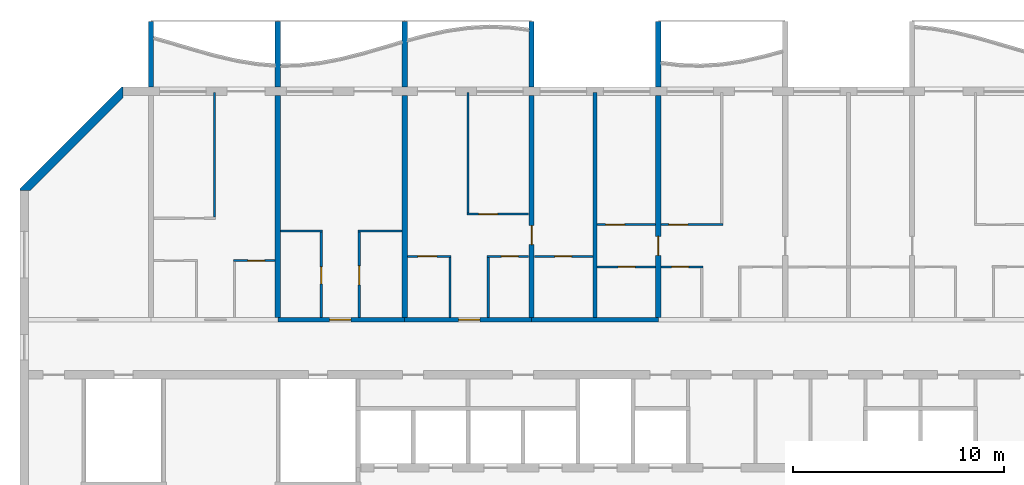
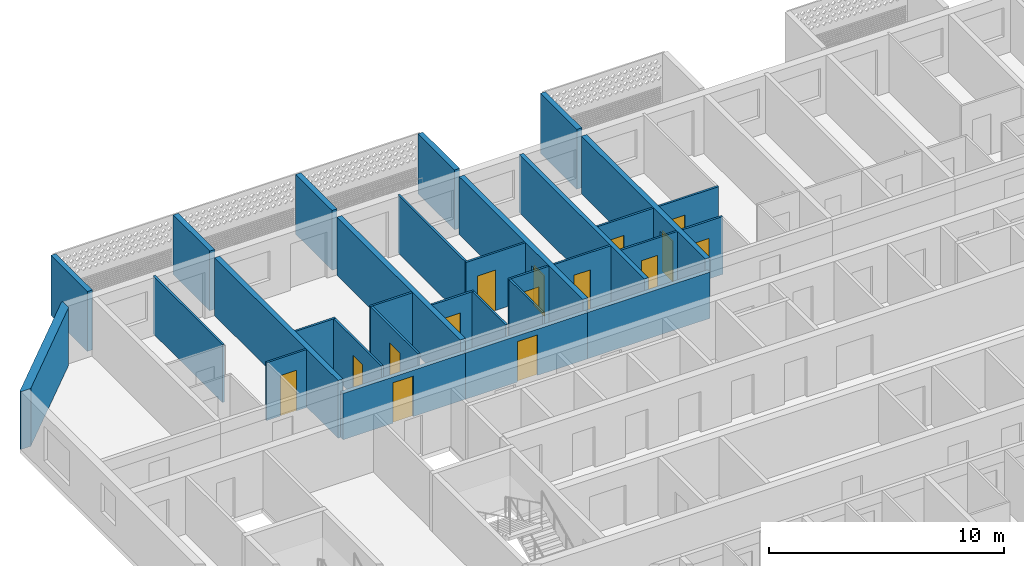
# One storey, part 8 of 27: 31 walls, 15 doors, 15 openings.
"""IFC4 building model written with IfcOpenShell, lengths in metres."""

from ifc_helpers import new_model, si_unit, direction, frame, frame_2d, origin, place, context, subcontext, project, spatial, polyline, rectangle, outline, extrude, source, transform, mapped, material, layer, layer_set, type_object, element, fill, save


model = new_model("IFC4")

# Units and contexts
model_context = context("Model", 3, precision=1e-05, world=origin(), true_north=direction((0.0, 1.0)))
body_context = subcontext(model_context, "Body", "Model", "MODEL_VIEW")
ifc_project = project(units=[si_unit("LENGTHUNIT", "METRE"), si_unit("AREAUNIT", "SQUARE_METRE"), si_unit("VOLUMEUNIT", "CUBIC_METRE"), si_unit("PLANEANGLEUNIT", "RADIAN"), si_unit("MASSUNIT", "GRAM", prefix="KILO")], contexts=[model_context])

# Site, building, storey
site_placement = place(None, origin())
site = spatial("IfcSite", under=ifc_project, at=site_placement, CompositionType="ELEMENT")
building_placement = place(site_placement, origin())
building = spatial("IfcBuilding", under=site, at=building_placement, Name="Poui Terraces", CompositionType="ELEMENT")
storey_placement = place(building_placement, frame((0.0, 0.0, 208.199951171875)))
storey = spatial("IfcBuildingStorey", under=building, at=storey_placement, Name="L58", CompositionType="ELEMENT", Elevation=208.199951171875)

# Wall, opening, door
ifc_material_1 = material(Name="Concrete 50 MPa", Category="concrete")
ifc_layer_1 = layer(ifc_material_1, 0.199951171875)
ifc_layer_set_1 = layer_set([ifc_layer_1], Name="Concrete 50 MPa")
wall_type_1 = type_object("IfcWallType", Name="CORRIDOR WALL 200 50MPa", PredefinedType="SHEAR", material=ifc_layer_set_1)
wall_1_placement = place(storey_placement, frame((30.0, 30.39990234375, 0.0), z_axis=(0.0, 0.0, 1.0), x_axis=(1.0, 0.0, 0.0)))
wall_1 = element("IfcWall", 1, at=wall_1_placement, inside=storey, type_object=wall_type_1, Name="CORRIDOR WALL LINE E BAY 3", PredefinedType="SHEAR", context=body_context, shape_type="SweptSolid", body=[
    extrude(rectangle(XDim=6.0, YDim=0.199951171875, at=frame_2d((3.0, 0.0))), origin(), (0.0, 0.0, 1.0), 2.400146484375),
])
opening_1_placement = place(wall_1_placement, frame((2.449951171875, 0.0, 0.0)))
opening_1 = element("IfcOpeningElement", 2, at=opening_1_placement, cuts=wall_1, Name="Opening FD30S", PredefinedType="OPENING", context=body_context, shape_type="SweptSolid", body=[
    extrude(rectangle(XDim=1.0, YDim=2.10009765625, at=frame_2d((0.5, 1.050048828125))), frame((0.0, 0.10986328125, 0.0), z_axis=(0.0, -1.0, 0.0), x_axis=(1.0, 0.0, 0.0)), (0.0, 0.0, 1.0), 0.219970703125),
])
ifc_material_2 = material(Name="Steel fire door", Category="steel")
door_type_1 = type_object("IfcDoorType", Name="FLAT ENTRANCE DOOR 1000 X 2100", OperationType="NOTDEFINED", PredefinedType="DOOR", material=ifc_material_2)
door_1_placement = place(opening_1_placement, origin())
door_1 = element("IfcDoor", 3, at=door_1_placement, inside=storey, type_object=door_type_1, Name="FLAT ENTRANCE DOOR 032", OperationType="SINGLE_SWING_LEFT", OverallHeight=2.10009765625, OverallWidth=1.0, PredefinedType="DOOR", context=body_context, shape_type="SweptSolid", body=[
    extrude(rectangle(XDim=1.0, YDim=2.10009765625, at=frame_2d((0.5, 1.050048828125))), frame((0.0, 0.02490234375, 0.0), z_axis=(0.0, -1.0, 0.0), x_axis=(1.0, 0.0, 0.0)), (0.0, 0.0, 1.0), 0.050048828125),
])
fill(opening_1, door_1)

wall_2_placement = place(storey_placement, frame((36.0, 30.39990234375, 0.0), z_axis=(0.0, 0.0, 1.0), x_axis=(1.0, 0.0, 0.0)))
wall_2 = element("IfcWall", 4, at=wall_2_placement, inside=storey, type_object=wall_type_1, Name="CORRIDOR WALL LINE E BAY 4", PredefinedType="SHEAR", context=body_context, shape_type="SweptSolid", body=[
    extrude(rectangle(XDim=6.0, YDim=0.199951171875, at=frame_2d((3.0, 0.0))), origin(), (0.0, 0.0, 1.0), 2.400146484375),
])
opening_2_placement = place(wall_2_placement, frame((2.550048828125, 0.0, 0.0)))
opening_2 = element("IfcOpeningElement", 5, at=opening_2_placement, cuts=wall_2, Name="Opening FD30S", PredefinedType="OPENING", context=body_context, shape_type="SweptSolid", body=[
    extrude(rectangle(XDim=1.0, YDim=2.10009765625, at=frame_2d((0.5, 1.050048828125))), frame((0.0, 0.10986328125, 0.0), z_axis=(0.0, -1.0, 0.0), x_axis=(1.0, 0.0, 0.0)), (0.0, 0.0, 1.0), 0.219970703125),
])
door_2_placement = place(opening_2_placement, origin())
door_2 = element("IfcDoor", 6, at=door_2_placement, inside=storey, type_object=door_type_1, Name="FLAT ENTRANCE DOOR 036", OperationType="SINGLE_SWING_RIGHT", OverallHeight=2.10009765625, OverallWidth=1.0, PredefinedType="DOOR", context=body_context, shape_type="SweptSolid", body=[
    extrude(rectangle(XDim=1.0, YDim=2.10009765625, at=frame_2d((0.5, 1.050048828125))), frame((0.0, 0.02490234375, 0.0), z_axis=(0.0, -1.0, 0.0), x_axis=(1.0, 0.0, 0.0)), (0.0, 0.0, 1.0), 0.050048828125),
])
fill(opening_2, door_2)

# Walls
wall_3_placement = place(storey_placement, frame((42.0, 30.39990234375, 0.0), z_axis=(0.0, 0.0, 1.0), x_axis=(1.0, 0.0, 0.0)))
element("IfcWall", 7, at=wall_3_placement, inside=storey, type_object=wall_type_1, Name="CORRIDOR WALL LINE E BAY 5", PredefinedType="SHEAR", context=body_context, shape_type="SweptSolid", body=[
    extrude(rectangle(XDim=6.0, YDim=0.199951171875, at=frame_2d((3.0, 0.0))), origin(), (0.0, 0.0, 1.0), 2.400146484375),
])
ifc_layer_2 = layer(ifc_material_1, 0.25)
ifc_layer_set_2 = layer_set([ifc_layer_2], Name="Concrete 50 MPa")
wall_type_2 = type_object("IfcWallType", Name="CROSS WALL 250 50MPa", PredefinedType="SHEAR", material=ifc_layer_set_2)
for number, where, z_axis, x_axis, name in (
    (8, (30.0, 30.5, 0.0), (0.0, 0.0, 1.0), (0.0, 1.0, 0.0), "CROSS WALL LINE 6 NORTH"),
    (9, (36.0, 30.5, 0.0), (0.0, 0.0, 1.0), (0.0, 1.0, 0.0), "CROSS WALL LINE 7 NORTH"),
):
    element("IfcWall", number, at=place(storey_placement, frame(where, z_axis=z_axis, x_axis=x_axis)), inside=storey, type_object=wall_type_2, Name=name, PredefinedType="SHEAR", context=body_context, shape_type="SweptSolid", body=[
        extrude(rectangle(XDim=10.5, YDim=0.25, at=frame_2d((5.25, 0.0))), origin(), (0.0, 0.0, 1.0), 3.0),
    ])

# Wall, opening, door
wall_4_placement = place(storey_placement, frame((42.0, 30.5, 0.0), z_axis=(0.0, 0.0, 1.0), x_axis=(0.0, 1.0, 0.0)))
wall_4 = element("IfcWall", 10, at=wall_4_placement, inside=storey, type_object=wall_type_2, Name="CROSS WALL LINE 8 NORTH", PredefinedType="SHEAR", context=body_context, shape_type="SweptSolid", body=[
    extrude(rectangle(XDim=10.5, YDim=0.25, at=frame_2d((5.25, 0.0))), origin(), (0.0, 0.0, 1.0), 3.0),
])
opening_3_placement = place(wall_4_placement, frame((3.449951171875, 0.0, 0.0)))
opening_3 = element("IfcOpeningElement", 11, at=opening_3_placement, cuts=wall_4, Name="Opening D90", PredefinedType="OPENING", context=body_context, shape_type="SweptSolid", body=[
    extrude(rectangle(XDim=0.89990234375, YDim=2.10009765625, at=frame_2d((0.449951171875, 1.050048828125))), frame((0.0, 0.135009765625, 0.0), z_axis=(0.0, -1.0, 0.0), x_axis=(1.0, 0.0, 0.0)), (0.0, 0.0, 1.0), 0.27001953125),
])
ifc_material_3 = material(Name="Solid core timber door", Category="wood")
door_type_2 = type_object("IfcDoorType", Name="INTERNAL DOOR 900 X 2100", OperationType="NOTDEFINED", PredefinedType="DOOR", material=ifc_material_3)
door_3_placement = place(opening_3_placement, frame((0.89990234375, 0.0, 0.0), z_axis=(0.0, 0.0, 1.0), x_axis=(-1.0, 0.0, 0.0)))
door_3 = element("IfcDoor", 12, at=door_3_placement, inside=storey, type_object=door_type_2, Name="INTERNAL DOOR 039", OperationType="SINGLE_SWING_RIGHT", OverallHeight=2.10009765625, OverallWidth=0.89990234375, PredefinedType="DOOR", context=body_context, shape_type="SweptSolid", body=[
    extrude(rectangle(XDim=0.89990234375, YDim=2.10009765625, at=frame_2d((0.449951171875, 1.050048828125))), frame((0.0, 0.02490234375, 0.0), z_axis=(0.0, -1.0, 0.0), x_axis=(1.0, 0.0, 0.0)), (0.0, 0.0, 1.0), 0.050048828125),
])
fill(opening_3, door_3)

wall_5_placement = place(storey_placement, frame((48.0, 30.5, 0.0), z_axis=(0.0, 0.0, 1.0), x_axis=(0.0, 1.0, 0.0)))
wall_5 = element("IfcWall", 13, at=wall_5_placement, inside=storey, type_object=wall_type_2, Name="CROSS WALL LINE 9 NORTH", PredefinedType="SHEAR", context=body_context, shape_type="SweptSolid", body=[
    extrude(rectangle(XDim=10.5, YDim=0.25, at=frame_2d((5.25, 0.0))), origin(), (0.0, 0.0, 1.0), 3.0),
])
opening_4_placement = place(wall_5_placement, frame((2.949951171875, 0.0, 0.0)))
opening_4 = element("IfcOpeningElement", 14, at=opening_4_placement, cuts=wall_5, Name="Opening D90", PredefinedType="OPENING", context=body_context, shape_type="SweptSolid", body=[
    extrude(rectangle(XDim=0.89990234375, YDim=2.10009765625, at=frame_2d((0.449951171875, 1.050048828125))), frame((0.0, 0.135009765625, 0.0), z_axis=(0.0, -1.0, 0.0), x_axis=(1.0, 0.0, 0.0)), (0.0, 0.0, 1.0), 0.27001953125),
])
door_4_placement = place(opening_4_placement, frame((0.89990234375, 0.0, 0.0), z_axis=(0.0, 0.0, 1.0), x_axis=(-1.0, 0.0, 0.0)))
door_4 = element("IfcDoor", 15, at=door_4_placement, inside=storey, type_object=door_type_2, Name="INTERNAL DOOR 043", OperationType="SINGLE_SWING_RIGHT", OverallHeight=2.10009765625, OverallWidth=0.89990234375, PredefinedType="DOOR", context=body_context, shape_type="SweptSolid", body=[
    extrude(rectangle(XDim=0.89990234375, YDim=2.10009765625, at=frame_2d((0.449951171875, 1.050048828125))), frame((0.0, 0.02490234375, 0.0), z_axis=(0.0, -1.0, 0.0), x_axis=(1.0, 0.0, 0.0)), (0.0, 0.0, 1.0), 0.050048828125),
])
fill(opening_4, door_4)

ifc_material_4 = material(Name="Plasterboard partition")
ifc_layer_3 = layer(ifc_material_4, 0.10009765625)
ifc_layer_set_3 = layer_set([ifc_layer_3], Name="Plasterboard partition")
wall_type_3 = type_object("IfcWallType", Name="FLAT PARTITION 100", PredefinedType="PARTITIONING", material=ifc_layer_set_3)
wall_6_placement = place(storey_placement, frame((45.10009765625, 32.89990234375, 0.0), z_axis=(0.0, 0.0, 1.0), x_axis=(1.0, 0.0, 0.0)))
wall_6 = element("IfcWall", 16, at=wall_6_placement, inside=storey, type_object=wall_type_3, Name="FLAT PARTITION 100", PredefinedType="PARTITIONING", context=body_context, shape_type="SweptSolid", body=[
    extrude(rectangle(XDim=2.764892578125, YDim=0.10009765625, at=frame_2d((1.38232421875, 0.0))), origin(), (0.0, 0.0, 1.0), 3.0),
])
opening_5_placement = place(wall_6_placement, frame((1.0, 0.0, 0.0)))
opening_5 = element("IfcOpeningElement", 17, at=opening_5_placement, cuts=wall_6, Name="Opening D80", PredefinedType="OPENING", context=body_context, shape_type="SweptSolid", body=[
    extrude(rectangle(XDim=0.800048828125, YDim=2.10009765625, at=frame_2d((0.39990234375, 1.050048828125))), frame((0.0, 0.06005859375, 0.0), z_axis=(0.0, -1.0, 0.0), x_axis=(1.0, 0.0, 0.0)), (0.0, 0.0, 1.0), 0.1201171875),
])
door_type_3 = type_object("IfcDoorType", Name="BATHROOM, LAUNDRY AND STORE DOOR 800 X 2100", OperationType="NOTDEFINED", PredefinedType="DOOR", material=ifc_material_3)
door_5_placement = place(opening_5_placement, frame((0.800048828125, 0.0, 0.0), z_axis=(0.0, 0.0, 1.0), x_axis=(-1.0, 0.0, 0.0)))
door_5 = element("IfcDoor", 18, at=door_5_placement, inside=storey, type_object=door_type_3, Name="BATHROOM, LAUNDRY AND STORE DOOR 042", OperationType="SINGLE_SWING_LEFT", OverallHeight=2.10009765625, OverallWidth=0.800048828125, PredefinedType="DOOR", context=body_context, shape_type="SweptSolid", body=[
    extrude(rectangle(XDim=0.800048828125, YDim=2.10009765625, at=frame_2d((0.39990234375, 1.050048828125))), frame((0.0, 0.02490234375, 0.0), z_axis=(0.0, -1.0, 0.0), x_axis=(1.0, 0.0, 0.0)), (0.0, 0.0, 1.0), 0.050048828125),
])
fill(opening_5, door_5)

wall_7_placement = place(storey_placement, frame((48.135009765625, 32.89990234375, 0.0), z_axis=(0.0, 0.0, 1.0), x_axis=(1.0, 0.0, 0.0)))
wall_7 = element("IfcWall", 19, at=wall_7_placement, inside=storey, type_object=wall_type_3, Name="FLAT PARTITION 100", PredefinedType="PARTITIONING", context=body_context, shape_type="SweptSolid", body=[
    extrude(rectangle(XDim=1.965087890625, YDim=0.10009765625, at=frame_2d((0.982421875, 0.0))), origin(), (0.0, 0.0, 1.0), 3.0),
])
opening_6_placement = place(wall_7_placement, frame((0.489990234375, 0.0, 0.0)))
opening_6 = element("IfcOpeningElement", 20, at=opening_6_placement, cuts=wall_7, Name="Opening D80", PredefinedType="OPENING", context=body_context, shape_type="SweptSolid", body=[
    extrude(rectangle(XDim=0.800048828125, YDim=2.10009765625, at=frame_2d((0.39990234375, 1.050048828125))), frame((0.0, 0.06005859375, 0.0), z_axis=(0.0, -1.0, 0.0), x_axis=(1.0, 0.0, 0.0)), (0.0, 0.0, 1.0), 0.1201171875),
])
door_6_placement = place(opening_6_placement, frame((0.800048828125, 0.0, 0.0), z_axis=(0.0, 0.0, 1.0), x_axis=(-1.0, 0.0, 0.0)))
door_6 = element("IfcDoor", 21, at=door_6_placement, inside=storey, type_object=door_type_3, Name="BATHROOM, LAUNDRY AND STORE DOOR 045", OperationType="SINGLE_SWING_RIGHT", OverallHeight=2.10009765625, OverallWidth=0.800048828125, PredefinedType="DOOR", context=body_context, shape_type="SweptSolid", body=[
    extrude(rectangle(XDim=0.800048828125, YDim=2.10009765625, at=frame_2d((0.39990234375, 1.050048828125))), frame((0.0, 0.02490234375, 0.0), z_axis=(0.0, -1.0, 0.0), x_axis=(1.0, 0.0, 0.0)), (0.0, 0.0, 1.0), 0.050048828125),
])
fill(opening_6, door_6)

wall_8_placement = place(storey_placement, frame((27.89990234375, 33.199951171875, 0.0), z_axis=(0.0, 0.0, 1.0), x_axis=(1.0, 0.0, 0.0)))
wall_8 = element("IfcWall", 22, at=wall_8_placement, inside=storey, type_object=wall_type_3, Name="FLAT PARTITION 100", PredefinedType="PARTITIONING", context=body_context, shape_type="SweptSolid", body=[
    extrude(rectangle(XDim=1.965087890625, YDim=0.10009765625, at=frame_2d((0.982421875, 0.0))), origin(), (0.0, 0.0, 1.0), 3.0),
])
opening_7_placement = place(wall_8_placement, frame((0.675048828125, 0.0, 0.0)))
opening_7 = element("IfcOpeningElement", 23, at=opening_7_placement, cuts=wall_8, Name="Opening D80", PredefinedType="OPENING", context=body_context, shape_type="SweptSolid", body=[
    extrude(rectangle(XDim=0.800048828125, YDim=2.10009765625, at=frame_2d((0.39990234375, 1.050048828125))), frame((0.0, 0.06005859375, 0.0), z_axis=(0.0, -1.0, 0.0), x_axis=(1.0, 0.0, 0.0)), (0.0, 0.0, 1.0), 0.1201171875),
])
door_7_placement = place(opening_7_placement, frame((0.800048828125, 0.0, 0.0), z_axis=(0.0, 0.0, 1.0), x_axis=(-1.0, 0.0, 0.0)))
door_7 = element("IfcDoor", 24, at=door_7_placement, inside=storey, type_object=door_type_3, Name="BATHROOM, LAUNDRY AND STORE DOOR 030", OperationType="SINGLE_SWING_RIGHT", OverallHeight=2.10009765625, OverallWidth=0.800048828125, PredefinedType="DOOR", context=body_context, shape_type="SweptSolid", body=[
    extrude(rectangle(XDim=0.800048828125, YDim=2.10009765625, at=frame_2d((0.39990234375, 1.050048828125))), frame((0.0, 0.02490234375, 0.0), z_axis=(0.0, -1.0, 0.0), x_axis=(1.0, 0.0, 0.0)), (0.0, 0.0, 1.0), 0.050048828125),
])
fill(opening_7, door_7)

wall_9_placement = place(storey_placement, frame((36.135009765625, 33.39990234375, 0.0), z_axis=(0.0, 0.0, 1.0), x_axis=(1.0, 0.0, 0.0)))
wall_9 = element("IfcWall", 25, at=wall_9_placement, inside=storey, type_object=wall_type_3, Name="FLAT PARTITION 100", PredefinedType="PARTITIONING", context=body_context, shape_type="SweptSolid", body=[
    extrude(rectangle(XDim=2.06494140625, YDim=0.10009765625, at=frame_2d((1.032470703125, 0.0))), origin(), (0.0, 0.0, 1.0), 3.0),
])
opening_8_placement = place(wall_9_placement, frame((0.489990234375, 0.0, 0.0)))
opening_8 = element("IfcOpeningElement", 26, at=opening_8_placement, cuts=wall_9, Name="Opening D90", PredefinedType="OPENING", context=body_context, shape_type="SweptSolid", body=[
    extrude(rectangle(XDim=0.89990234375, YDim=2.10009765625, at=frame_2d((0.449951171875, 1.050048828125))), frame((0.0, 0.06005859375, 0.0), z_axis=(0.0, -1.0, 0.0), x_axis=(1.0, 0.0, 0.0)), (0.0, 0.0, 1.0), 0.1201171875),
])
door_8_placement = place(opening_8_placement, frame((0.89990234375, 0.0, 0.0), z_axis=(0.0, 0.0, 1.0), x_axis=(-1.0, 0.0, 0.0)))
door_8 = element("IfcDoor", 27, at=door_8_placement, inside=storey, type_object=door_type_2, Name="INTERNAL DOOR 035", OperationType="SINGLE_SWING_LEFT", OverallHeight=2.10009765625, OverallWidth=0.89990234375, PredefinedType="DOOR", context=body_context, shape_type="SweptSolid", body=[
    extrude(rectangle(XDim=0.89990234375, YDim=2.10009765625, at=frame_2d((0.449951171875, 1.050048828125))), frame((0.0, 0.02490234375, 0.0), z_axis=(0.0, -1.0, 0.0), x_axis=(1.0, 0.0, 0.0)), (0.0, 0.0, 1.0), 0.050048828125),
])
fill(opening_8, door_8)

wall_10_placement = place(storey_placement, frame((39.89990234375, 33.39990234375, 0.0), z_axis=(0.0, 0.0, 1.0), x_axis=(1.0, 0.0, 0.0)))
wall_10 = element("IfcWall", 28, at=wall_10_placement, inside=storey, type_object=wall_type_3, Name="FLAT PARTITION 100", PredefinedType="PARTITIONING", context=body_context, shape_type="SweptSolid", body=[
    extrude(rectangle(XDim=1.965087890625, YDim=0.10009765625, at=frame_2d((0.982421875, 0.0))), origin(), (0.0, 0.0, 1.0), 3.0),
])
opening_9_placement = place(wall_10_placement, frame((0.675048828125, 0.0, 0.0)))
opening_9 = element("IfcOpeningElement", 29, at=opening_9_placement, cuts=wall_10, Name="Opening D80", PredefinedType="OPENING", context=body_context, shape_type="SweptSolid", body=[
    extrude(rectangle(XDim=0.800048828125, YDim=2.10009765625, at=frame_2d((0.39990234375, 1.050048828125))), frame((0.0, 0.06005859375, 0.0), z_axis=(0.0, -1.0, 0.0), x_axis=(1.0, 0.0, 0.0)), (0.0, 0.0, 1.0), 0.1201171875),
])
door_9_placement = place(opening_9_placement, frame((0.800048828125, 0.0, 0.0), z_axis=(0.0, 0.0, 1.0), x_axis=(-1.0, 0.0, 0.0)))
door_9 = element("IfcDoor", 30, at=door_9_placement, inside=storey, type_object=door_type_3, Name="BATHROOM, LAUNDRY AND STORE DOOR 038", OperationType="SINGLE_SWING_RIGHT", OverallHeight=2.10009765625, OverallWidth=0.800048828125, PredefinedType="DOOR", context=body_context, shape_type="SweptSolid", body=[
    extrude(rectangle(XDim=0.800048828125, YDim=2.10009765625, at=frame_2d((0.39990234375, 1.050048828125))), frame((0.0, 0.02490234375, 0.0), z_axis=(0.0, -1.0, 0.0), x_axis=(1.0, 0.0, 0.0)), (0.0, 0.0, 1.0), 0.050048828125),
])
fill(opening_9, door_9)

wall_11_placement = place(storey_placement, frame((42.135009765625, 33.39990234375, 0.0), z_axis=(0.0, 0.0, 1.0), x_axis=(1.0, 0.0, 0.0)))
wall_11 = element("IfcWall", 31, at=wall_11_placement, inside=storey, type_object=wall_type_3, Name="FLAT PARTITION 100", PredefinedType="PARTITIONING", context=body_context, shape_type="SweptSolid", body=[
    extrude(rectangle(XDim=2.764892578125, YDim=0.10009765625, at=frame_2d((1.38232421875, 0.0))), origin(), (0.0, 0.0, 1.0), 3.0),
])
opening_10_placement = place(wall_11_placement, frame((0.965087890625, 0.0, 0.0)))
opening_10 = element("IfcOpeningElement", 32, at=opening_10_placement, cuts=wall_11, Name="Opening D80", PredefinedType="OPENING", context=body_context, shape_type="SweptSolid", body=[
    extrude(rectangle(XDim=0.800048828125, YDim=2.10009765625, at=frame_2d((0.39990234375, 1.050048828125))), frame((0.0, 0.06005859375, 0.0), z_axis=(0.0, -1.0, 0.0), x_axis=(1.0, 0.0, 0.0)), (0.0, 0.0, 1.0), 0.1201171875),
])
door_10_placement = place(opening_10_placement, frame((0.800048828125, 0.0, 0.0), z_axis=(0.0, 0.0, 1.0), x_axis=(-1.0, 0.0, 0.0)))
door_10 = element("IfcDoor", 33, at=door_10_placement, inside=storey, type_object=door_type_3, Name="BATHROOM, LAUNDRY AND STORE DOOR 034", OperationType="SINGLE_SWING_LEFT", OverallHeight=2.10009765625, OverallWidth=0.800048828125, PredefinedType="DOOR", context=body_context, shape_type="SweptSolid", body=[
    extrude(rectangle(XDim=0.800048828125, YDim=2.10009765625, at=frame_2d((0.39990234375, 1.050048828125))), frame((0.0, 0.02490234375, 0.0), z_axis=(0.0, -1.0, 0.0), x_axis=(1.0, 0.0, 0.0)), (0.0, 0.0, 1.0), 0.050048828125),
])
fill(opening_10, door_10)

# Walls
wall_12_placement = place(storey_placement, frame((30.135009765625, 34.60009765625, 0.0), z_axis=(0.0, 0.0, 1.0), x_axis=(1.0, 0.0, 0.0)))
element("IfcWall", 34, at=wall_12_placement, inside=storey, type_object=wall_type_3, Name="FLAT PARTITION 100", PredefinedType="PARTITIONING", context=body_context, shape_type="SweptSolid", body=[
    extrude(rectangle(XDim=1.965087890625, YDim=0.10009765625, at=frame_2d((0.982421875, 0.0))), origin(), (0.0, 0.0, 1.0), 3.0),
])
wall_13_placement = place(storey_placement, frame((33.800048828125, 34.60009765625, 0.0), z_axis=(0.0, 0.0, 1.0), x_axis=(1.0, 0.0, 0.0)))
element("IfcWall", 35, at=wall_13_placement, inside=storey, type_object=wall_type_3, Name="FLAT PARTITION 100", PredefinedType="PARTITIONING", context=body_context, shape_type="SweptSolid", body=[
    extrude(rectangle(XDim=2.06494140625, YDim=0.10009765625, at=frame_2d((1.032470703125, 0.0))), origin(), (0.0, 0.0, 1.0), 3.0),
])

# Wall, opening, door
wall_14_placement = place(storey_placement, frame((45.10009765625, 34.89990234375, 0.0), z_axis=(0.0, 0.0, 1.0), x_axis=(1.0, 0.0, 0.0)))
wall_14 = element("IfcWall", 36, at=wall_14_placement, inside=storey, type_object=wall_type_3, Name="FLAT PARTITION 100", PredefinedType="PARTITIONING", context=body_context, shape_type="SweptSolid", body=[
    extrude(rectangle(XDim=2.764892578125, YDim=0.10009765625, at=frame_2d((1.38232421875, 0.0))), origin(), (0.0, 0.0, 1.0), 3.0),
])
opening_11_placement = place(wall_14_placement, frame((0.39990234375, 0.0, 0.0)))
opening_11 = element("IfcOpeningElement", 37, at=opening_11_placement, cuts=wall_14, Name="Opening D90", PredefinedType="OPENING", context=body_context, shape_type="SweptSolid", body=[
    extrude(rectangle(XDim=0.89990234375, YDim=2.10009765625, at=frame_2d((0.449951171875, 1.050048828125))), frame((0.0, 0.06005859375, 0.0), z_axis=(0.0, -1.0, 0.0), x_axis=(1.0, 0.0, 0.0)), (0.0, 0.0, 1.0), 0.1201171875),
])
door_11_placement = place(opening_11_placement, origin())
door_11 = element("IfcDoor", 38, at=door_11_placement, inside=storey, type_object=door_type_2, Name="INTERNAL DOOR 041", OperationType="SINGLE_SWING_LEFT", OverallHeight=2.10009765625, OverallWidth=0.89990234375, PredefinedType="DOOR", context=body_context, shape_type="SweptSolid", body=[
    extrude(rectangle(XDim=0.89990234375, YDim=2.10009765625, at=frame_2d((0.449951171875, 1.050048828125))), frame((0.0, 0.02490234375, 0.0), z_axis=(0.0, -1.0, 0.0), x_axis=(1.0, 0.0, 0.0)), (0.0, 0.0, 1.0), 0.050048828125),
])
fill(opening_11, door_11)

wall_15_placement = place(storey_placement, frame((48.135009765625, 34.89990234375, 0.0), z_axis=(0.0, 0.0, 1.0), x_axis=(1.0, 0.0, 0.0)))
wall_15 = element("IfcWall", 39, at=wall_15_placement, inside=storey, type_object=wall_type_3, Name="FLAT PARTITION 100", PredefinedType="PARTITIONING", context=body_context, shape_type="SweptSolid", body=[
    extrude(rectangle(XDim=2.9150390625, YDim=0.10009765625, at=frame_2d((1.45751953125, 0.0))), origin(), (0.0, 0.0, 1.0), 3.0),
])
opening_12_placement = place(wall_15_placement, frame((0.364990234375, 0.0, 0.0)))
opening_12 = element("IfcOpeningElement", 40, at=opening_12_placement, cuts=wall_15, Name="Opening D90", PredefinedType="OPENING", context=body_context, shape_type="SweptSolid", body=[
    extrude(rectangle(XDim=0.89990234375, YDim=2.10009765625, at=frame_2d((0.449951171875, 1.050048828125))), frame((0.0, 0.06005859375, 0.0), z_axis=(0.0, -1.0, 0.0), x_axis=(1.0, 0.0, 0.0)), (0.0, 0.0, 1.0), 0.1201171875),
])
door_12_placement = place(opening_12_placement, frame((0.89990234375, 0.0, 0.0), z_axis=(0.0, 0.0, 1.0), x_axis=(-1.0, 0.0, 0.0)))
door_12 = element("IfcDoor", 41, at=door_12_placement, inside=storey, type_object=door_type_2, Name="INTERNAL DOOR 044", OperationType="SINGLE_SWING_LEFT", OverallHeight=2.10009765625, OverallWidth=0.89990234375, PredefinedType="DOOR", context=body_context, shape_type="SweptSolid", body=[
    extrude(rectangle(XDim=0.89990234375, YDim=2.10009765625, at=frame_2d((0.449951171875, 1.050048828125))), frame((0.0, 0.02490234375, 0.0), z_axis=(0.0, -1.0, 0.0), x_axis=(1.0, 0.0, 0.0)), (0.0, 0.0, 1.0), 0.050048828125),
])
fill(opening_12, door_12)

wall_16_placement = place(storey_placement, frame((38.949951171875, 35.39990234375, 0.0), z_axis=(0.0, 0.0, 1.0), x_axis=(1.0, 0.0, 0.0)))
wall_16 = element("IfcWall", 42, at=wall_16_placement, inside=storey, type_object=wall_type_3, Name="FLAT PARTITION 100", PredefinedType="PARTITIONING", context=body_context, shape_type="SweptSolid", body=[
    extrude(rectangle(XDim=2.9150390625, YDim=0.10009765625, at=frame_2d((1.45751953125, 0.0))), origin(), (0.0, 0.0, 1.0), 3.0),
])
opening_13_placement = place(wall_16_placement, frame((0.550048828125, 0.0, 0.0)))
opening_13 = element("IfcOpeningElement", 43, at=opening_13_placement, cuts=wall_16, Name="Opening D90", PredefinedType="OPENING", context=body_context, shape_type="SweptSolid", body=[
    extrude(rectangle(XDim=0.89990234375, YDim=2.10009765625, at=frame_2d((0.449951171875, 1.050048828125))), frame((0.0, 0.06005859375, 0.0), z_axis=(0.0, -1.0, 0.0), x_axis=(1.0, 0.0, 0.0)), (0.0, 0.0, 1.0), 0.1201171875),
])
door_13_placement = place(opening_13_placement, frame((0.89990234375, 0.0, 0.0), z_axis=(0.0, 0.0, 1.0), x_axis=(-1.0, 0.0, 0.0)))
door_13 = element("IfcDoor", 44, at=door_13_placement, inside=storey, type_object=door_type_2, Name="INTERNAL DOOR 037", OperationType="SINGLE_SWING_LEFT", OverallHeight=2.10009765625, OverallWidth=0.89990234375, PredefinedType="DOOR", context=body_context, shape_type="SweptSolid", body=[
    extrude(rectangle(XDim=0.89990234375, YDim=2.10009765625, at=frame_2d((0.449951171875, 1.050048828125))), frame((0.0, 0.02490234375, 0.0), z_axis=(0.0, -1.0, 0.0), x_axis=(1.0, 0.0, 0.0)), (0.0, 0.0, 1.0), 0.050048828125),
])
fill(opening_13, door_13)

# Wall
wall_17_placement = place(storey_placement, frame((27.0, 35.25, 0.0), z_axis=(0.0, 0.0, 1.0), x_axis=(0.0, 1.0, 0.0)))
element("IfcWall", 45, at=wall_17_placement, inside=storey, type_object=wall_type_3, Name="FLAT PARTITION 100", PredefinedType="PARTITIONING", context=body_context, shape_type="SweptSolid", body=[
    extrude(rectangle(XDim=5.889892578125, YDim=0.10009765625, at=frame_2d((2.94482421875, 0.0))), origin(), (0.0, 0.0, 1.0), 3.0),
])

# Wall, opening, door
wall_18_placement = place(storey_placement, frame((32.050048828125, 30.510009765625, 0.0), z_axis=(0.0, 0.0, 1.0), x_axis=(0.0, 1.0, 0.0)))
wall_18 = element("IfcWall", 46, at=wall_18_placement, inside=storey, type_object=wall_type_3, Name="FLAT PARTITION 100", PredefinedType="PARTITIONING", context=body_context, shape_type="SweptSolid", body=[
    extrude(rectangle(XDim=4.0400390625, YDim=0.10009765625, at=frame_2d((2.02001953125, 0.0))), origin(), (0.0, 0.0, 1.0), 3.0),
])
opening_14_placement = place(wall_18_placement, frame((1.590087890625, 0.0, 0.0)))
opening_14 = element("IfcOpeningElement", 47, at=opening_14_placement, cuts=wall_18, Name="Opening D80", PredefinedType="OPENING", context=body_context, shape_type="SweptSolid", body=[
    extrude(rectangle(XDim=0.800048828125, YDim=2.10009765625, at=frame_2d((0.39990234375, 1.050048828125))), frame((0.0, 0.06005859375, 0.0), z_axis=(0.0, -1.0, 0.0), x_axis=(1.0, 0.0, 0.0)), (0.0, 0.0, 1.0), 0.1201171875),
])
door_14_placement = place(opening_14_placement, origin())
door_14 = element("IfcDoor", 48, at=door_14_placement, inside=storey, type_object=door_type_3, Name="BATHROOM, LAUNDRY AND STORE DOOR 031", OperationType="SINGLE_SWING_RIGHT", OverallHeight=2.10009765625, OverallWidth=0.800048828125, PredefinedType="DOOR", context=body_context, shape_type="SweptSolid", body=[
    extrude(rectangle(XDim=0.800048828125, YDim=2.10009765625, at=frame_2d((0.39990234375, 1.050048828125))), frame((0.0, 0.02490234375, 0.0), z_axis=(0.0, -1.0, 0.0), x_axis=(1.0, 0.0, 0.0)), (0.0, 0.0, 1.0), 0.050048828125),
])
fill(opening_14, door_14)

wall_19_placement = place(storey_placement, frame((33.85009765625, 30.510009765625, 0.0), z_axis=(0.0, 0.0, 1.0), x_axis=(0.0, 1.0, 0.0)))
wall_19 = element("IfcWall", 49, at=wall_19_placement, inside=storey, type_object=wall_type_3, Name="FLAT PARTITION 100", PredefinedType="PARTITIONING", context=body_context, shape_type="SweptSolid", body=[
    extrude(rectangle(XDim=4.0400390625, YDim=0.10009765625, at=frame_2d((2.02001953125, 0.0))), origin(), (0.0, 0.0, 1.0), 3.0),
])
opening_15_placement = place(wall_19_placement, frame((1.5400390625, 0.0, 0.0)))
opening_15 = element("IfcOpeningElement", 50, at=opening_15_placement, cuts=wall_19, Name="Opening D90", PredefinedType="OPENING", context=body_context, shape_type="SweptSolid", body=[
    extrude(rectangle(XDim=0.89990234375, YDim=2.10009765625, at=frame_2d((0.449951171875, 1.050048828125))), frame((0.0, 0.06005859375, 0.0), z_axis=(0.0, -1.0, 0.0), x_axis=(1.0, 0.0, 0.0)), (0.0, 0.0, 1.0), 0.1201171875),
])
door_15_placement = place(opening_15_placement, frame((0.89990234375, 0.0, 0.0), z_axis=(0.0, 0.0, 1.0), x_axis=(-1.0, 0.0, 0.0)))
door_15 = element("IfcDoor", 51, at=door_15_placement, inside=storey, type_object=door_type_2, Name="INTERNAL DOOR 033", OperationType="SINGLE_SWING_RIGHT", OverallHeight=2.10009765625, OverallWidth=0.89990234375, PredefinedType="DOOR", context=body_context, shape_type="SweptSolid", body=[
    extrude(rectangle(XDim=0.89990234375, YDim=2.10009765625, at=frame_2d((0.449951171875, 1.050048828125))), frame((0.0, 0.02490234375, 0.0), z_axis=(0.0, -1.0, 0.0), x_axis=(1.0, 0.0, 0.0)), (0.0, 0.0, 1.0), 0.050048828125),
])
fill(opening_15, door_15)

# Walls
wall_20_placement = place(storey_placement, frame((38.14990234375, 30.510009765625, 0.0), z_axis=(0.0, 0.0, 1.0), x_axis=(0.0, 1.0, 0.0)))
element("IfcWall", 52, at=wall_20_placement, inside=storey, type_object=wall_type_3, Name="FLAT PARTITION 100", PredefinedType="PARTITIONING", context=body_context, shape_type="SweptSolid", body=[
    extrude(rectangle(XDim=2.840087890625, YDim=0.10009765625, at=frame_2d((1.419921875, 0.0))), origin(), (0.0, 0.0, 1.0), 3.0),
])
wall_21_placement = place(storey_placement, frame((39.0, 35.449951171875, 0.0), z_axis=(0.0, 0.0, 1.0), x_axis=(0.0, 1.0, 0.0)))
element("IfcWall", 53, at=wall_21_placement, inside=storey, type_object=wall_type_3, Name="FLAT PARTITION 100", PredefinedType="PARTITIONING", context=body_context, shape_type="SweptSolid", body=[
    extrude(rectangle(XDim=5.68994140625, YDim=0.10009765625, at=frame_2d((2.844970703125, 0.0))), origin(), (0.0, 0.0, 1.0), 3.0),
])
wall_22_placement = place(storey_placement, frame((39.949951171875, 30.510009765625, 0.0), z_axis=(0.0, 0.0, 1.0), x_axis=(0.0, 1.0, 0.0)))
element("IfcWall", 54, at=wall_22_placement, inside=storey, type_object=wall_type_3, Name="FLAT PARTITION 100", PredefinedType="PARTITIONING", context=body_context, shape_type="SweptSolid", body=[
    extrude(rectangle(XDim=2.840087890625, YDim=0.10009765625, at=frame_2d((1.419921875, 0.0))), origin(), (0.0, 0.0, 1.0), 3.0),
])
ifc_material_5 = material(Name="Fire-rated masonry wall", Category="masonry")
ifc_layer_4 = layer(ifc_material_5, 0.199951171875)
ifc_layer_set_4 = layer_set([ifc_layer_4], Name="Fire-rated masonry wall")
wall_type_4 = type_object("IfcWallType", Name="FLAT PARTY WALL 200", PredefinedType="PARTITIONING", material=ifc_layer_set_4)
wall_23_placement = place(storey_placement, frame((45.0, 30.510009765625, 0.0), z_axis=(0.0, 0.0, 1.0), x_axis=(0.0, 1.0, 0.0)))
element("IfcWall", 55, at=wall_23_placement, inside=storey, type_object=wall_type_4, Name="FLAT PARTY WALL 200", PredefinedType="PARTITIONING", context=body_context, shape_type="SweptSolid", body=[
    extrude(rectangle(XDim=10.6298828125, YDim=0.199951171875, at=frame_2d((5.31494140625, 0.0))), origin(), (0.0, 0.0, 1.0), 3.0),
])
ifc_material_6 = material(Name="Precast concrete 40 MPa", Category="concrete")
ifc_layer_5 = layer(ifc_material_6, 0.39990234375)
ifc_layer_set_5 = layer_set([ifc_layer_5], Name="Precast concrete 40 MPa")
wall_type_5 = type_object("IfcWallType", Name="TERRACOTTA CLAD CHAMFER WALL 400", PredefinedType="STANDARD", material=ifc_layer_set_5)
wall_24_placement = place(storey_placement, origin())
element("IfcWall", 56, at=wall_24_placement, inside=storey, type_object=wall_type_5, Name="CHAMFER WALL CH05", PredefinedType="STANDARD", context=body_context, shape_type="SweptSolid", body=[
    extrude(outline(polyline([(22.682861328125, 41.39990234375), (22.60009765625, 41.39990234375), (17.800048828125, 36.60009765625), (17.800048828125, 36.51708984375), (18.28271484375, 36.51708984375), (22.682861328125, 40.917236328125), (22.682861328125, 41.39990234375)])), origin(), (0.0, 0.0, 1.0), 3.0),
])
ifc_layer_6 = layer(ifc_material_6, 0.25)
ifc_layer_set_6 = layer_set([ifc_layer_6], Name="Precast concrete 40 MPa")
wall_type_6 = type_object("IfcWallType", Name="BALCONY FIN 250", PredefinedType="STANDARD", material=ifc_layer_set_6)
shared_shape = source(origin(), body_context, "Body", "SweptSolid", [
    extrude(outline(polyline([(0.0, 0.0), (0.25, 0.0), (0.25, 3.10009765625), (0.0, 3.10009765625), (0.0, 0.0)])), origin(), (0.0, 0.0, 1.0), 3.10009765625),
])
for number, where, name in (
    (57, (23.875, 41.39990234375, 0.0), "BALCONY FIN"),
    (58, (29.875, 41.39990234375, 0.0), "BALCONY FIN"),
    (59, (35.875, 41.39990234375, 0.0), "BALCONY FIN"),
    (60, (41.875, 41.39990234375, 0.0), "BALCONY FIN"),
    (61, (47.875, 41.39990234375, 0.0), "BALCONY FIN"),
):
    element("IfcWall", number, at=place(storey_placement, frame(where)), inside=storey, type_object=wall_type_6, Name=name, PredefinedType="STANDARD", context=body_context, shape_type="MappedRepresentation", body=[
        mapped(shared_shape, transform((0.0, 0.0, 0.0))),
    ])

save(model, "model.ifc")
